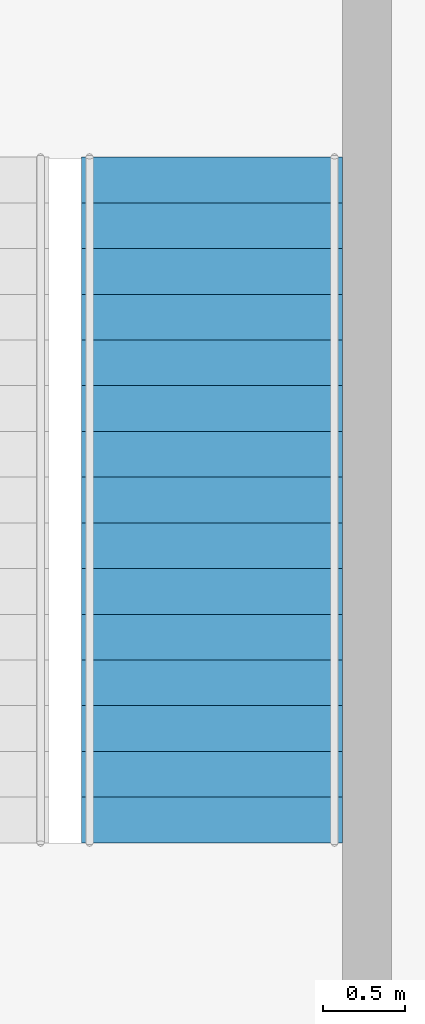
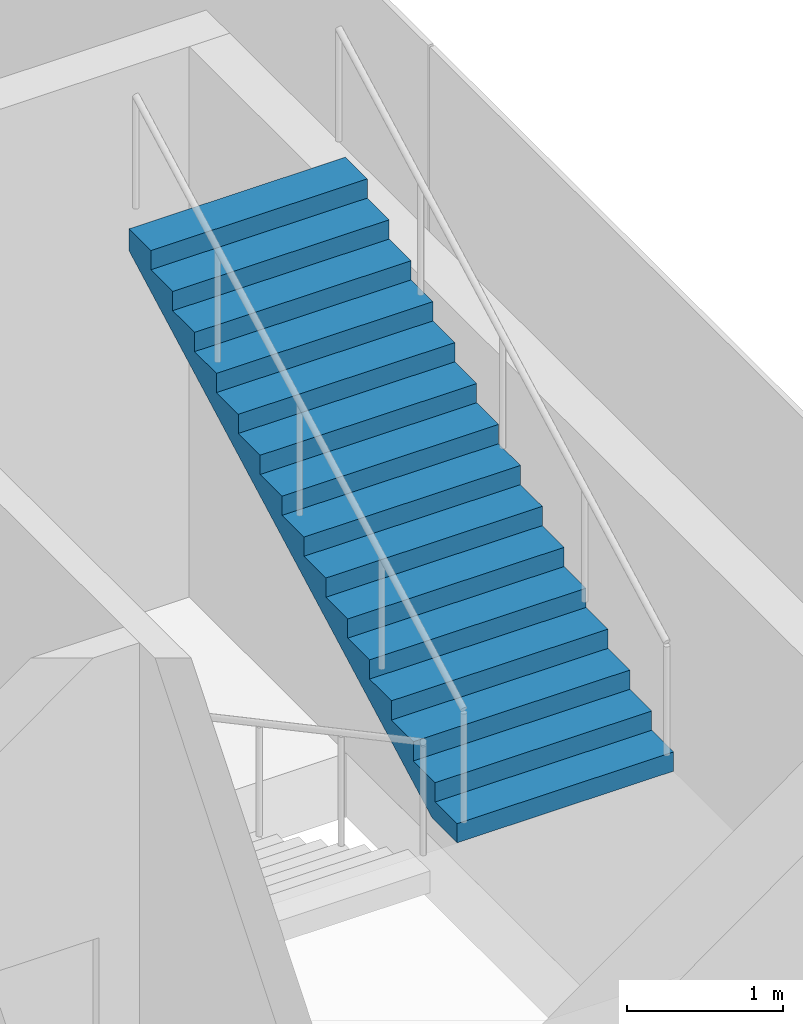
# One storey, part 48 of 53: 1 stair flight, 1 element without a shape of its own.
"""IFC4 building model written with IfcOpenShell, lengths in metres."""

import ifcopenshell
import ifcopenshell.guid

model = None  # the IFC model being written
_history = None  # IfcOwnerHistory: only IFC2X3 demands one
_inside = {}  # id of a spatial element -> (the spatial element, [elements in it])
_under = {}  # id of a project, library or spatial element -> (it, [spatial elements below it])
_declared = {}  # id of a project -> (the project, [libraries it declares])
_typed = {}  # id of a type object -> (the type object, [elements of that type])
_made_of = {}  # id of a material, layer set ... -> (it, [elements and type objects made of it])


def new_model(schema):
    """Start an empty IFC model of exactly this schema.

    Asked for "IFC4X3", IfcOpenShell would pick the latest addendum, in which some entities
    have other attributes; the version numbers below select the first issue.
    IFC2X3 requires an IfcOwnerHistory on every rooted entity: one is made here for all.
    """
    global model, _history
    if schema == "IFC4X3":
        model = ifcopenshell.file(schema_version=(4, 3, 0, 0))
    else:
        model = ifcopenshell.file(schema=schema)
    _inside.clear()
    _under.clear()
    _declared.clear()
    _typed.clear()
    _made_of.clear()
    _history = None
    if model.schema == "IFC2X3":
        org = make("IfcOrganization", Name="unknown")
        user = make(
            "IfcPersonAndOrganization",
            ThePerson=make("IfcPerson", FamilyName="unknown"),
            TheOrganization=org,
        )
        app = make(
            "IfcApplication",
            ApplicationDeveloper=org,
            Version="unknown",
            ApplicationFullName="unknown",
            ApplicationIdentifier="unknown",
        )
        _history = make(
            "IfcOwnerHistory",
            OwningUser=user,
            OwningApplication=app,
            ChangeAction="ADDED",
            CreationDate=0,
        )
    return model


def make(cls, **values):
    """One entity of the class cls with the attributes given. An attribute that is None is left unset."""
    return model.create_entity(
        cls, **{name: value for name, value in values.items() if value is not None}
    )


def rooted(cls, **values):
    """An entity with a GlobalId (a new one), such as an element, a storey or a relation."""
    return make(cls, GlobalId=ifcopenshell.guid.new(), OwnerHistory=_history, **values)


def si_unit(unit_type, name, prefix=None):
    """IfcSIUnit, for example si_unit("LENGTHUNIT", "METRE", prefix="MILLI")."""
    return make("IfcSIUnit", UnitType=unit_type, Prefix=prefix, Name=name)


def assignment(units):
    """IfcUnitAssignment: the units of a project."""
    return None if units is None else make("IfcUnitAssignment", Units=units)


def point(xyz):
    """IfcCartesianPoint."""
    return None if xyz is None else make("IfcCartesianPoint", Coordinates=xyz)


def direction(xyz):
    """IfcDirection."""
    return None if xyz is None else make("IfcDirection", DirectionRatios=xyz)


def frame(location, z_axis=None, x_axis=None):
    """IfcAxis2Placement3D, a coordinate frame: its origin and axes. An axis left out is left unset."""
    return make(
        "IfcAxis2Placement3D",
        Location=point(location),
        Axis=direction(z_axis),
        RefDirection=direction(x_axis),
    )


def origin():
    """The frame at (0, 0, 0) with its axes left unset."""
    return frame((0.0, 0.0, 0.0))


def place(relative_to, where):
    """IfcLocalPlacement: puts the frame where relative to a parent placement (None: the world)."""
    return make(
        "IfcLocalPlacement", PlacementRelTo=relative_to, RelativePlacement=where
    )


def context(
    kind, dimensions, precision=None, world=None, true_north=None, identifier=None
):
    """IfcGeometricRepresentationContext, for example the 3D "Model" context."""
    return make(
        "IfcGeometricRepresentationContext",
        ContextIdentifier=identifier,
        ContextType=kind,
        CoordinateSpaceDimension=dimensions,
        Precision=precision,
        WorldCoordinateSystem=world,
        TrueNorth=true_north,
    )


def subcontext(parent, identifier, kind, view, scale=None):
    """IfcGeometricRepresentationSubContext, for example "Body" below "Model"."""
    return make(
        "IfcGeometricRepresentationSubContext",
        ContextIdentifier=identifier,
        ContextType=kind,
        ParentContext=parent,
        TargetScale=scale,
        TargetView=view,
    )


def project(units=None, contexts=None):
    """IfcProject with its units and contexts."""
    return rooted(
        "IfcProject",
        Name="project",
        RepresentationContexts=contexts,
        UnitsInContext=assignment(units),
    )


def spatial(cls, under=None, at=None, **own):
    """A site, building, storey or space (cls), placed at a placement, below another one or the project."""
    s = rooted(cls, ObjectPlacement=at, **own)
    if under is not None:
        _under.setdefault(under.id(), (under, []))[1].append(s)
    return s


def point_list(points):
    """IfcCartesianPointList2D or 3D."""
    cls = (
        "IfcCartesianPointList2D" if len(points[0]) == 2 else "IfcCartesianPointList3D"
    )
    return make(cls, CoordList=points)


def triangles(points, corners, closed=None, point_numbers=None):
    """IfcTriangulatedFaceSet: each triangle names its three corners, points numbered from 1."""
    return make(
        "IfcTriangulatedFaceSet",
        Coordinates=point_list(points),
        Closed=closed,
        CoordIndex=corners,
        PnIndex=point_numbers,
    )


def shape(context_of_items, identifier, shape_type, items):
    """IfcShapeRepresentation: the items that make up one representation, for example the "Body"."""
    return make(
        "IfcShapeRepresentation",
        ContextOfItems=context_of_items,
        RepresentationIdentifier=identifier,
        RepresentationType=shape_type,
        Items=items,
    )


def material(Name=None, Category=None):
    """IfcMaterial."""
    return make("IfcMaterial", Name=Name, Category=Category)


def made_of(thing, what):
    """Note that an element or type object is made of a material, layer set ...; save() writes the relation."""
    if what is not None:
        _made_of.setdefault(what.id(), (what, []))[1].append(thing)
    return thing


def type_object(cls, material=None, **own):
    """A type object (cls), such as IfcWallType, which elements share."""
    return made_of(rooted(cls, **own), material)


def element(
    cls,
    number,
    at=None,
    inside=None,
    cuts=None,
    type_object=None,
    material=None,
    context=None,
    identifier="Body",
    shape_type=None,
    held_by="IfcProductDefinitionShape",
    body=None,
    shapes=None,
    **own,
):
    """One element of the class cls, such as IfcWall. Its Tag is "e" and its number.

    at: its placement. inside: the storey or other place that contains it. cuts: it is an
    opening in that element (IfcRelVoidsElement). A single representation is given by context,
    identifier, shape_type and body (its items); several are given by shapes. held_by: the class
    of the entity that holds the representations. save() writes the other relations.
    """
    e = rooted(cls, Tag="e%d" % number, ObjectPlacement=at, **own)
    if body is not None:
        shapes = [shape(context, identifier, shape_type, body)]
    if shapes is not None:
        e.Representation = make(held_by, Representations=shapes)
    if inside is not None:
        _inside.setdefault(inside.id(), (inside, []))[1].append(e)
    if cuts is not None:
        rooted(
            "IfcRelVoidsElement", RelatingBuildingElement=cuts, RelatedOpeningElement=e
        )
    if type_object is not None:
        _typed.setdefault(type_object.id(), (type_object, []))[1].append(e)
    return made_of(e, material)


def aggregate(whole, parts):
    """IfcRelAggregates: a whole, such as a stair, and the parts it consists of."""
    return rooted("IfcRelAggregates", RelatingObject=whole, RelatedObjects=parts)


def save(model, path):
    """Write the relations noted so far, then the file.

    IfcRelAggregates (storeys below a building ...), IfcRelContainedInSpatialStructure (elements
    in a storey), IfcRelDefinesByType, IfcRelAssociatesMaterial and IfcRelDeclares: one each for
    every whole, place, type object, material and project.
    """
    for whole, parts in _under.values():
        aggregate(whole, parts)
    for where, things in _inside.values():
        rooted(
            "IfcRelContainedInSpatialStructure",
            RelatedElements=things,
            RelatingStructure=where,
        )
    for kind, things in _typed.values():
        rooted("IfcRelDefinesByType", RelatedObjects=things, RelatingType=kind)
    for what, things in _made_of.values():
        rooted("IfcRelAssociatesMaterial", RelatedObjects=things, RelatingMaterial=what)
    for by, libraries in _declared.values():
        rooted("IfcRelDeclares", RelatingContext=by, RelatedDefinitions=libraries)
    model.write(path)


model = new_model("IFC4")

# Units and contexts
model_context = context("Model", 3, precision=1e-05, world=origin(), true_north=direction((0.0, 1.0)))
body_context = subcontext(model_context, "Body", "Model", "MODEL_VIEW")
ifc_project = project(units=[si_unit("LENGTHUNIT", "METRE"), si_unit("AREAUNIT", "SQUARE_METRE"), si_unit("VOLUMEUNIT", "CUBIC_METRE"), si_unit("PLANEANGLEUNIT", "RADIAN"), si_unit("MASSUNIT", "GRAM", prefix="KILO")], contexts=[model_context])

# Site, building, storey
site_placement = place(None, origin())
site = spatial("IfcSite", under=ifc_project, at=site_placement, CompositionType="ELEMENT")
building_placement = place(site_placement, origin())
building = spatial("IfcBuilding", under=site, at=building_placement, Name="Hakoniwa Tower and Hamabe Station Hall", CompositionType="ELEMENT")
storey_placement = place(building_placement, frame((0.0, 0.0, 15.0)))
storey = spatial("IfcBuildingStorey", under=building, at=storey_placement, Name="L03", CompositionType="ELEMENT", Elevation=15.0)

# Stair, stair flight
ifc_material_1 = material(Name="Concrete C40", Category="concrete")
stair_type = type_object("IfcStairType", Name="STAIR 1600 16X150", PredefinedType="HALF_TURN_STAIR", material=ifc_material_1)
stair_placement = place(storey_placement, origin())
stair = element("IfcStair", 1, at=stair_placement, inside=storey, type_object=stair_type, Name="Escape stair SS4 L03", PredefinedType="HALF_TURN_STAIR")
ifc_material_2 = material(Name="Concrete C40", Category="concrete")
stair_flight_type = type_object("IfcStairFlightType", Name="STAIR FLIGHT 1600", PredefinedType="STRAIGHT", material=ifc_material_2)
stair_flight_placement = place(storey_placement, frame((167.64990234375, -21.10009765625, 2.39990234375), z_axis=(0.0, 0.0, 1.0), x_axis=(0.0, 1.0, 0.0)))
stair_flight = element("IfcStairFlight", 2, at=stair_flight_placement, type_object=stair_flight_type, Name="SS4 flight 2", NumberOfRisers=16, NumberOfTreads=15, PredefinedType="STRAIGHT", RiserHeight=0.15, TreadLength=0.28, context=body_context, shape_type="Tessellation", body=[
    triangles([(0.0, 0.800048828125, 0.0), (0.280029296875, 0.800048828125, 0.0), (0.3173828125, 0.800048828125, 0.0), (0.56005859375, 0.800048828125, 0.1298828125), (0.840087890625, 0.800048828125, 0.280029296875), (1.1201171875, 0.800048828125, 0.429931640625), (1.39990234375, 0.800048828125, 0.579833984375), (1.679931640625, 0.800048828125, 0.72998046875), (1.9599609375, 0.800048828125, 0.8798828125), (2.239990234375, 0.800048828125, 1.030029296875), (2.52001953125, 0.800048828125, 1.179931640625), (2.800048828125, 0.800048828125, 1.329833984375), (3.080078125, 0.800048828125, 1.47998046875), (3.360107421875, 0.800048828125, 1.6298828125), (3.639892578125, 0.800048828125, 1.780029296875), (3.919921875, 0.800048828125, 1.929931640625), (4.199951171875, 0.800048828125, 2.079833984375), (4.199951171875, 0.800048828125, 2.25), (3.919921875, 0.800048828125, 2.25), (3.919921875, 0.800048828125, 2.10009765625), (3.639892578125, 0.800048828125, 2.10009765625), (3.639892578125, 0.800048828125, 1.949951171875), (3.360107421875, 0.800048828125, 1.949951171875), (3.360107421875, 0.800048828125, 1.800048828125), (3.080078125, 0.800048828125, 1.800048828125), (3.080078125, 0.800048828125, 1.64990234375), (2.800048828125, 0.800048828125, 1.64990234375), (2.800048828125, 0.800048828125, 1.5), (2.52001953125, 0.800048828125, 1.5), (2.52001953125, 0.800048828125, 1.35009765625), (2.239990234375, 0.800048828125, 1.35009765625), (2.239990234375, 0.800048828125, 1.199951171875), (1.9599609375, 0.800048828125, 1.199951171875), (1.9599609375, 0.800048828125, 1.050048828125), (1.679931640625, 0.800048828125, 1.050048828125), (1.679931640625, 0.800048828125, 0.89990234375), (1.39990234375, 0.800048828125, 0.89990234375), (1.39990234375, 0.800048828125, 0.75), (1.1201171875, 0.800048828125, 0.75), (1.1201171875, 0.800048828125, 0.60009765625), (0.840087890625, 0.800048828125, 0.60009765625), (0.840087890625, 0.800048828125, 0.449951171875), (0.56005859375, 0.800048828125, 0.449951171875), (0.56005859375, 0.800048828125, 0.300048828125), (0.3173828125, 0.800048828125, 0.300048828125), (0.280029296875, 0.800048828125, 0.300048828125), (0.280029296875, 0.800048828125, 0.14990234375), (0.0, 0.800048828125, 0.14990234375), (0.0, 0.06005859375, 0.0), (0.280029296875, 0.06005859375, 0.0), (0.3173828125, 0.06005859375, 0.0), (0.56005859375, 0.06005859375, 0.1298828125), (0.840087890625, 0.06005859375, 0.280029296875), (1.1201171875, 0.06005859375, 0.429931640625), (1.39990234375, 0.06005859375, 0.579833984375), (1.679931640625, 0.06005859375, 0.72998046875), (1.9599609375, 0.06005859375, 0.8798828125), (2.239990234375, 0.06005859375, 1.030029296875), (2.52001953125, 0.06005859375, 1.179931640625), (2.800048828125, 0.06005859375, 1.329833984375), (3.080078125, 0.06005859375, 1.47998046875), (3.360107421875, 0.06005859375, 1.6298828125), (3.639892578125, 0.06005859375, 1.780029296875), (3.919921875, 0.06005859375, 1.929931640625), (4.199951171875, 0.06005859375, 2.079833984375), (4.199951171875, 0.06005859375, 2.25), (3.919921875, 0.06005859375, 2.25), (3.919921875, 0.06005859375, 2.10009765625), (3.639892578125, 0.06005859375, 2.10009765625), (3.639892578125, 0.06005859375, 1.949951171875), (3.360107421875, 0.06005859375, 1.949951171875), (3.360107421875, 0.06005859375, 1.800048828125), (3.080078125, 0.06005859375, 1.800048828125), (3.080078125, 0.06005859375, 1.64990234375), (2.800048828125, 0.06005859375, 1.64990234375), (2.800048828125, 0.06005859375, 1.5), (2.52001953125, 0.06005859375, 1.5), (2.52001953125, 0.06005859375, 1.35009765625), (2.239990234375, 0.06005859375, 1.35009765625), (2.239990234375, 0.06005859375, 1.199951171875), (1.9599609375, 0.06005859375, 1.199951171875), (1.9599609375, 0.06005859375, 1.050048828125), (1.679931640625, 0.06005859375, 1.050048828125), (1.679931640625, 0.06005859375, 0.89990234375), (1.39990234375, 0.06005859375, 0.89990234375), (1.39990234375, 0.06005859375, 0.75), (1.1201171875, 0.06005859375, 0.75), (1.1201171875, 0.06005859375, 0.60009765625), (0.840087890625, 0.06005859375, 0.60009765625), (0.840087890625, 0.06005859375, 0.449951171875), (0.56005859375, 0.06005859375, 0.449951171875), (0.56005859375, 0.06005859375, 0.300048828125), (0.3173828125, 0.06005859375, 0.300048828125), (0.280029296875, 0.06005859375, 0.300048828125), (0.280029296875, 0.06005859375, 0.14990234375), (0.0, 0.06005859375, 0.14990234375), (0.0, 0.02001953125, 0.0), (0.280029296875, 0.02001953125, 0.0), (0.3173828125, 0.02001953125, 0.0), (0.56005859375, 0.02001953125, 0.1298828125), (0.840087890625, 0.02001953125, 0.280029296875), (1.1201171875, 0.02001953125, 0.429931640625), (1.39990234375, 0.02001953125, 0.579833984375), (1.679931640625, 0.02001953125, 0.72998046875), (1.9599609375, 0.02001953125, 0.8798828125), (2.239990234375, 0.02001953125, 1.030029296875), (2.52001953125, 0.02001953125, 1.179931640625), (2.800048828125, 0.02001953125, 1.329833984375), (3.080078125, 0.02001953125, 1.47998046875), (3.360107421875, 0.02001953125, 1.6298828125), (3.639892578125, 0.02001953125, 1.780029296875), (3.919921875, 0.02001953125, 1.929931640625), (4.199951171875, 0.02001953125, 2.079833984375), (4.199951171875, 0.02001953125, 2.25), (3.919921875, 0.02001953125, 2.25), (3.919921875, 0.02001953125, 2.10009765625), (3.639892578125, 0.02001953125, 2.10009765625), (3.639892578125, 0.02001953125, 1.949951171875), (3.360107421875, 0.02001953125, 1.949951171875), (3.360107421875, 0.02001953125, 1.800048828125), (3.080078125, 0.02001953125, 1.800048828125), (3.080078125, 0.02001953125, 1.64990234375), (2.800048828125, 0.02001953125, 1.64990234375), (2.800048828125, 0.02001953125, 1.5), (2.52001953125, 0.02001953125, 1.5), (2.52001953125, 0.02001953125, 1.35009765625), (2.239990234375, 0.02001953125, 1.35009765625), (2.239990234375, 0.02001953125, 1.199951171875), (1.9599609375, 0.02001953125, 1.199951171875), (1.9599609375, 0.02001953125, 1.050048828125), (1.679931640625, 0.02001953125, 1.050048828125), (1.679931640625, 0.02001953125, 0.89990234375), (1.39990234375, 0.02001953125, 0.89990234375), (1.39990234375, 0.02001953125, 0.75), (1.1201171875, 0.02001953125, 0.75), (1.1201171875, 0.02001953125, 0.60009765625), (0.840087890625, 0.02001953125, 0.60009765625), (0.840087890625, 0.02001953125, 0.449951171875), (0.56005859375, 0.02001953125, 0.449951171875), (0.56005859375, 0.02001953125, 0.300048828125), (0.3173828125, 0.02001953125, 0.300048828125), (0.280029296875, 0.02001953125, 0.300048828125), (0.280029296875, 0.02001953125, 0.14990234375), (0.0, 0.02001953125, 0.14990234375), (0.0, -0.02001953125, 0.0), (0.280029296875, -0.02001953125, 0.0), (0.3173828125, -0.02001953125, 0.0), (0.56005859375, -0.02001953125, 0.1298828125), (0.840087890625, -0.02001953125, 0.280029296875), (1.1201171875, -0.02001953125, 0.429931640625), (1.39990234375, -0.02001953125, 0.579833984375), (1.679931640625, -0.02001953125, 0.72998046875), (1.9599609375, -0.02001953125, 0.8798828125), (2.239990234375, -0.02001953125, 1.030029296875), (2.52001953125, -0.02001953125, 1.179931640625), (2.800048828125, -0.02001953125, 1.329833984375), (3.080078125, -0.02001953125, 1.47998046875), (3.360107421875, -0.02001953125, 1.6298828125), (3.639892578125, -0.02001953125, 1.780029296875), (3.919921875, -0.02001953125, 1.929931640625), (4.199951171875, -0.02001953125, 2.079833984375), (4.199951171875, -0.02001953125, 2.25), (3.919921875, -0.02001953125, 2.25), (3.919921875, -0.02001953125, 2.10009765625), (3.639892578125, -0.02001953125, 2.10009765625), (3.639892578125, -0.02001953125, 1.949951171875), (3.360107421875, -0.02001953125, 1.949951171875), (3.360107421875, -0.02001953125, 1.800048828125), (3.080078125, -0.02001953125, 1.800048828125), (3.080078125, -0.02001953125, 1.64990234375), (2.800048828125, -0.02001953125, 1.64990234375), (2.800048828125, -0.02001953125, 1.5), (2.52001953125, -0.02001953125, 1.5), (2.52001953125, -0.02001953125, 1.35009765625), (2.239990234375, -0.02001953125, 1.35009765625), (2.239990234375, -0.02001953125, 1.199951171875), (1.9599609375, -0.02001953125, 1.199951171875), (1.9599609375, -0.02001953125, 1.050048828125), (1.679931640625, -0.02001953125, 1.050048828125), (1.679931640625, -0.02001953125, 0.89990234375), (1.39990234375, -0.02001953125, 0.89990234375), (1.39990234375, -0.02001953125, 0.75), (1.1201171875, -0.02001953125, 0.75), (1.1201171875, -0.02001953125, 0.60009765625), (0.840087890625, -0.02001953125, 0.60009765625), (0.840087890625, -0.02001953125, 0.449951171875), (0.56005859375, -0.02001953125, 0.449951171875), (0.56005859375, -0.02001953125, 0.300048828125), (0.3173828125, -0.02001953125, 0.300048828125), (0.280029296875, -0.02001953125, 0.300048828125), (0.280029296875, -0.02001953125, 0.14990234375), (0.0, -0.02001953125, 0.14990234375), (0.0, -0.06005859375, 0.0), (0.280029296875, -0.06005859375, 0.0), (0.3173828125, -0.06005859375, 0.0), (0.56005859375, -0.06005859375, 0.1298828125), (0.840087890625, -0.06005859375, 0.280029296875), (1.1201171875, -0.06005859375, 0.429931640625), (1.39990234375, -0.06005859375, 0.579833984375), (1.679931640625, -0.06005859375, 0.72998046875), (1.9599609375, -0.06005859375, 0.8798828125), (2.239990234375, -0.06005859375, 1.030029296875), (2.52001953125, -0.06005859375, 1.179931640625), (2.800048828125, -0.06005859375, 1.329833984375), (3.080078125, -0.06005859375, 1.47998046875), (3.360107421875, -0.06005859375, 1.6298828125), (3.639892578125, -0.06005859375, 1.780029296875), (3.919921875, -0.06005859375, 1.929931640625), (4.199951171875, -0.06005859375, 2.079833984375), (4.199951171875, -0.06005859375, 2.25), (3.919921875, -0.06005859375, 2.25), (3.919921875, -0.06005859375, 2.10009765625), (3.639892578125, -0.06005859375, 2.10009765625), (3.639892578125, -0.06005859375, 1.949951171875), (3.360107421875, -0.06005859375, 1.949951171875), (3.360107421875, -0.06005859375, 1.800048828125), (3.080078125, -0.06005859375, 1.800048828125), (3.080078125, -0.06005859375, 1.64990234375), (2.800048828125, -0.06005859375, 1.64990234375), (2.800048828125, -0.06005859375, 1.5), (2.52001953125, -0.06005859375, 1.5), (2.52001953125, -0.06005859375, 1.35009765625), (2.239990234375, -0.06005859375, 1.35009765625), (2.239990234375, -0.06005859375, 1.199951171875), (1.9599609375, -0.06005859375, 1.199951171875), (1.9599609375, -0.06005859375, 1.050048828125), (1.679931640625, -0.06005859375, 1.050048828125), (1.679931640625, -0.06005859375, 0.89990234375), (1.39990234375, -0.06005859375, 0.89990234375), (1.39990234375, -0.06005859375, 0.75), (1.1201171875, -0.06005859375, 0.75), (1.1201171875, -0.06005859375, 0.60009765625), (0.840087890625, -0.06005859375, 0.60009765625), (0.840087890625, -0.06005859375, 0.449951171875), (0.56005859375, -0.06005859375, 0.449951171875), (0.56005859375, -0.06005859375, 0.300048828125), (0.3173828125, -0.06005859375, 0.300048828125), (0.280029296875, -0.06005859375, 0.300048828125), (0.280029296875, -0.06005859375, 0.14990234375), (0.0, -0.06005859375, 0.14990234375), (0.0, -0.800048828125, 0.0), (0.280029296875, -0.800048828125, 0.0), (0.3173828125, -0.800048828125, 0.0), (0.56005859375, -0.800048828125, 0.1298828125), (0.840087890625, -0.800048828125, 0.280029296875), (1.1201171875, -0.800048828125, 0.429931640625), (1.39990234375, -0.800048828125, 0.579833984375), (1.679931640625, -0.800048828125, 0.72998046875), (1.9599609375, -0.800048828125, 0.8798828125), (2.239990234375, -0.800048828125, 1.030029296875), (2.52001953125, -0.800048828125, 1.179931640625), (2.800048828125, -0.800048828125, 1.329833984375), (3.080078125, -0.800048828125, 1.47998046875), (3.360107421875, -0.800048828125, 1.6298828125), (3.639892578125, -0.800048828125, 1.780029296875), (3.919921875, -0.800048828125, 1.929931640625), (4.199951171875, -0.800048828125, 2.079833984375), (4.199951171875, -0.800048828125, 2.25), (3.919921875, -0.800048828125, 2.25), (3.919921875, -0.800048828125, 2.10009765625), (3.639892578125, -0.800048828125, 2.10009765625), (3.639892578125, -0.800048828125, 1.949951171875), (3.360107421875, -0.800048828125, 1.949951171875), (3.360107421875, -0.800048828125, 1.800048828125), (3.080078125, -0.800048828125, 1.800048828125), (3.080078125, -0.800048828125, 1.64990234375), (2.800048828125, -0.800048828125, 1.64990234375), (2.800048828125, -0.800048828125, 1.5), (2.52001953125, -0.800048828125, 1.5), (2.52001953125, -0.800048828125, 1.35009765625), (2.239990234375, -0.800048828125, 1.35009765625), (2.239990234375, -0.800048828125, 1.199951171875), (1.9599609375, -0.800048828125, 1.199951171875), (1.9599609375, -0.800048828125, 1.050048828125), (1.679931640625, -0.800048828125, 1.050048828125), (1.679931640625, -0.800048828125, 0.89990234375), (1.39990234375, -0.800048828125, 0.89990234375), (1.39990234375, -0.800048828125, 0.75), (1.1201171875, -0.800048828125, 0.75), (1.1201171875, -0.800048828125, 0.60009765625), (0.840087890625, -0.800048828125, 0.60009765625), (0.840087890625, -0.800048828125, 0.449951171875), (0.56005859375, -0.800048828125, 0.449951171875), (0.56005859375, -0.800048828125, 0.300048828125), (0.3173828125, -0.800048828125, 0.300048828125), (0.280029296875, -0.800048828125, 0.300048828125), (0.280029296875, -0.800048828125, 0.14990234375), (0.0, -0.800048828125, 0.14990234375)], [[2, 48, 47], [242, 287, 288], [2, 1, 48], [242, 288, 241], [3, 46, 45], [243, 285, 286], [3, 47, 46], [243, 286, 287], [3, 2, 47], [243, 287, 242], [4, 45, 44], [244, 284, 285], [4, 3, 45], [244, 285, 243], [5, 43, 42], [245, 282, 283], [5, 44, 43], [245, 283, 284], [5, 4, 44], [245, 284, 244], [6, 41, 40], [246, 280, 281], [6, 42, 41], [246, 281, 282], [6, 5, 42], [246, 282, 245], [7, 39, 38], [247, 278, 279], [7, 40, 39], [247, 279, 280], [7, 6, 40], [247, 280, 246], [8, 37, 36], [248, 276, 277], [8, 38, 37], [248, 277, 278], [8, 7, 38], [248, 278, 247], [9, 35, 34], [249, 274, 275], [9, 36, 35], [249, 275, 276], [9, 8, 36], [249, 276, 248], [10, 33, 32], [250, 272, 273], [10, 34, 33], [250, 273, 274], [10, 9, 34], [250, 274, 249], [11, 31, 30], [251, 270, 271], [11, 32, 31], [251, 271, 272], [11, 10, 32], [251, 272, 250], [12, 29, 28], [252, 268, 269], [12, 30, 29], [252, 269, 270], [12, 11, 30], [252, 270, 251], [13, 27, 26], [253, 266, 267], [13, 28, 27], [253, 267, 268], [13, 12, 28], [253, 268, 252], [14, 25, 24], [254, 264, 265], [14, 26, 25], [254, 265, 266], [14, 13, 26], [254, 266, 253], [15, 23, 22], [255, 262, 263], [15, 24, 23], [255, 263, 264], [15, 14, 24], [255, 264, 254], [16, 21, 20], [256, 260, 261], [16, 22, 21], [256, 261, 262], [16, 15, 22], [256, 262, 255], [17, 19, 18], [257, 258, 259], [17, 20, 19], [257, 259, 260], [17, 16, 20], [257, 260, 256], [1, 2, 50], [1, 50, 49], [49, 50, 98], [49, 98, 97], [97, 98, 146], [97, 146, 145], [145, 146, 194], [145, 194, 193], [193, 194, 242], [193, 242, 241], [2, 3, 51], [2, 51, 50], [50, 51, 99], [50, 99, 98], [98, 99, 147], [98, 147, 146], [146, 147, 195], [146, 195, 194], [194, 195, 243], [194, 243, 242], [3, 4, 52], [3, 52, 51], [51, 52, 100], [51, 100, 99], [99, 100, 148], [99, 148, 147], [147, 148, 196], [147, 196, 195], [195, 196, 244], [195, 244, 243], [4, 5, 53], [4, 53, 52], [52, 53, 101], [52, 101, 100], [100, 101, 149], [100, 149, 148], [148, 149, 197], [148, 197, 196], [196, 197, 245], [196, 245, 244], [5, 6, 54], [5, 54, 53], [53, 54, 102], [53, 102, 101], [101, 102, 150], [101, 150, 149], [149, 150, 198], [149, 198, 197], [197, 198, 246], [197, 246, 245], [6, 7, 55], [6, 55, 54], [54, 55, 103], [54, 103, 102], [102, 103, 151], [102, 151, 150], [150, 151, 199], [150, 199, 198], [198, 199, 247], [198, 247, 246], [7, 8, 56], [7, 56, 55], [55, 56, 104], [55, 104, 103], [103, 104, 152], [103, 152, 151], [151, 152, 200], [151, 200, 199], [199, 200, 248], [199, 248, 247], [8, 9, 57], [8, 57, 56], [56, 57, 105], [56, 105, 104], [104, 105, 153], [104, 153, 152], [152, 153, 201], [152, 201, 200], [200, 201, 249], [200, 249, 248], [9, 10, 58], [9, 58, 57], [57, 58, 106], [57, 106, 105], [105, 106, 154], [105, 154, 153], [153, 154, 202], [153, 202, 201], [201, 202, 250], [201, 250, 249], [10, 11, 59], [10, 59, 58], [58, 59, 107], [58, 107, 106], [106, 107, 155], [106, 155, 154], [154, 155, 203], [154, 203, 202], [202, 203, 251], [202, 251, 250], [11, 12, 60], [11, 60, 59], [59, 60, 108], [59, 108, 107], [107, 108, 156], [107, 156, 155], [155, 156, 204], [155, 204, 203], [203, 204, 252], [203, 252, 251], [12, 13, 61], [12, 61, 60], [60, 61, 109], [60, 109, 108], [108, 109, 157], [108, 157, 156], [156, 157, 205], [156, 205, 204], [204, 205, 253], [204, 253, 252], [13, 14, 62], [13, 62, 61], [61, 62, 110], [61, 110, 109], [109, 110, 158], [109, 158, 157], [157, 158, 206], [157, 206, 205], [205, 206, 254], [205, 254, 253], [14, 15, 63], [14, 63, 62], [62, 63, 111], [62, 111, 110], [110, 111, 159], [110, 159, 158], [158, 159, 207], [158, 207, 206], [206, 207, 255], [206, 255, 254], [15, 16, 64], [15, 64, 63], [63, 64, 112], [63, 112, 111], [111, 112, 160], [111, 160, 159], [159, 160, 208], [159, 208, 207], [207, 208, 256], [207, 256, 255], [16, 17, 65], [16, 65, 64], [64, 65, 113], [64, 113, 112], [112, 113, 161], [112, 161, 160], [160, 161, 209], [160, 209, 208], [208, 209, 257], [208, 257, 256], [17, 18, 66], [17, 66, 65], [65, 66, 114], [65, 114, 113], [113, 114, 162], [113, 162, 161], [161, 162, 210], [161, 210, 209], [209, 210, 258], [209, 258, 257], [18, 19, 67], [18, 67, 66], [66, 67, 115], [66, 115, 114], [114, 115, 163], [114, 163, 162], [162, 163, 211], [162, 211, 210], [210, 211, 259], [210, 259, 258], [19, 20, 68], [19, 68, 67], [67, 68, 116], [67, 116, 115], [115, 116, 164], [115, 164, 163], [163, 164, 212], [163, 212, 211], [211, 212, 260], [211, 260, 259], [20, 21, 69], [20, 69, 68], [68, 69, 117], [68, 117, 116], [116, 117, 165], [116, 165, 164], [164, 165, 213], [164, 213, 212], [212, 213, 261], [212, 261, 260], [21, 22, 70], [21, 70, 69], [69, 70, 118], [69, 118, 117], [117, 118, 166], [117, 166, 165], [165, 166, 214], [165, 214, 213], [213, 214, 262], [213, 262, 261], [22, 23, 71], [22, 71, 70], [70, 71, 119], [70, 119, 118], [118, 119, 167], [118, 167, 166], [166, 167, 215], [166, 215, 214], [214, 215, 263], [214, 263, 262], [23, 24, 72], [23, 72, 71], [71, 72, 120], [71, 120, 119], [119, 120, 168], [119, 168, 167], [167, 168, 216], [167, 216, 215], [215, 216, 264], [215, 264, 263], [24, 25, 73], [24, 73, 72], [72, 73, 121], [72, 121, 120], [120, 121, 169], [120, 169, 168], [168, 169, 217], [168, 217, 216], [216, 217, 265], [216, 265, 264], [25, 26, 74], [25, 74, 73], [73, 74, 122], [73, 122, 121], [121, 122, 170], [121, 170, 169], [169, 170, 218], [169, 218, 217], [217, 218, 266], [217, 266, 265], [26, 27, 75], [26, 75, 74], [74, 75, 123], [74, 123, 122], [122, 123, 171], [122, 171, 170], [170, 171, 219], [170, 219, 218], [218, 219, 267], [218, 267, 266], [27, 28, 76], [27, 76, 75], [75, 76, 124], [75, 124, 123], [123, 124, 172], [123, 172, 171], [171, 172, 220], [171, 220, 219], [219, 220, 268], [219, 268, 267], [28, 29, 77], [28, 77, 76], [76, 77, 125], [76, 125, 124], [124, 125, 173], [124, 173, 172], [172, 173, 221], [172, 221, 220], [220, 221, 269], [220, 269, 268], [29, 30, 78], [29, 78, 77], [77, 78, 126], [77, 126, 125], [125, 126, 174], [125, 174, 173], [173, 174, 222], [173, 222, 221], [221, 222, 270], [221, 270, 269], [30, 31, 79], [30, 79, 78], [78, 79, 127], [78, 127, 126], [126, 127, 175], [126, 175, 174], [174, 175, 223], [174, 223, 222], [222, 223, 271], [222, 271, 270], [31, 32, 80], [31, 80, 79], [79, 80, 128], [79, 128, 127], [127, 128, 176], [127, 176, 175], [175, 176, 224], [175, 224, 223], [223, 224, 272], [223, 272, 271], [32, 33, 81], [32, 81, 80], [80, 81, 129], [80, 129, 128], [128, 129, 177], [128, 177, 176], [176, 177, 225], [176, 225, 224], [224, 225, 273], [224, 273, 272], [33, 34, 82], [33, 82, 81], [81, 82, 130], [81, 130, 129], [129, 130, 178], [129, 178, 177], [177, 178, 226], [177, 226, 225], [225, 226, 274], [225, 274, 273], [34, 35, 83], [34, 83, 82], [82, 83, 131], [82, 131, 130], [130, 131, 179], [130, 179, 178], [178, 179, 227], [178, 227, 226], [226, 227, 275], [226, 275, 274], [35, 36, 84], [35, 84, 83], [83, 84, 132], [83, 132, 131], [131, 132, 180], [131, 180, 179], [179, 180, 228], [179, 228, 227], [227, 228, 276], [227, 276, 275], [36, 37, 85], [36, 85, 84], [84, 85, 133], [84, 133, 132], [132, 133, 181], [132, 181, 180], [180, 181, 229], [180, 229, 228], [228, 229, 277], [228, 277, 276], [37, 38, 86], [37, 86, 85], [85, 86, 134], [85, 134, 133], [133, 134, 182], [133, 182, 181], [181, 182, 230], [181, 230, 229], [229, 230, 278], [229, 278, 277], [38, 39, 87], [38, 87, 86], [86, 87, 135], [86, 135, 134], [134, 135, 183], [134, 183, 182], [182, 183, 231], [182, 231, 230], [230, 231, 279], [230, 279, 278], [39, 40, 88], [39, 88, 87], [87, 88, 136], [87, 136, 135], [135, 136, 184], [135, 184, 183], [183, 184, 232], [183, 232, 231], [231, 232, 280], [231, 280, 279], [40, 41, 89], [40, 89, 88], [88, 89, 137], [88, 137, 136], [136, 137, 185], [136, 185, 184], [184, 185, 233], [184, 233, 232], [232, 233, 281], [232, 281, 280], [41, 42, 90], [41, 90, 89], [89, 90, 138], [89, 138, 137], [137, 138, 186], [137, 186, 185], [185, 186, 234], [185, 234, 233], [233, 234, 282], [233, 282, 281], [42, 43, 91], [42, 91, 90], [90, 91, 139], [90, 139, 138], [138, 139, 187], [138, 187, 186], [186, 187, 235], [186, 235, 234], [234, 235, 283], [234, 283, 282], [43, 44, 92], [43, 92, 91], [91, 92, 140], [91, 140, 139], [139, 140, 188], [139, 188, 187], [187, 188, 236], [187, 236, 235], [235, 236, 284], [235, 284, 283], [44, 45, 93], [44, 93, 92], [92, 93, 141], [92, 141, 140], [140, 141, 189], [140, 189, 188], [188, 189, 237], [188, 237, 236], [236, 237, 285], [236, 285, 284], [45, 46, 94], [45, 94, 93], [93, 94, 142], [93, 142, 141], [141, 142, 190], [141, 190, 189], [189, 190, 238], [189, 238, 237], [237, 238, 286], [237, 286, 285], [46, 47, 95], [46, 95, 94], [94, 95, 143], [94, 143, 142], [142, 143, 191], [142, 191, 190], [190, 191, 239], [190, 239, 238], [238, 239, 287], [238, 287, 286], [47, 48, 96], [47, 96, 95], [95, 96, 144], [95, 144, 143], [143, 144, 192], [143, 192, 191], [191, 192, 240], [191, 240, 239], [239, 240, 288], [239, 288, 287], [48, 1, 49], [48, 49, 96], [96, 49, 97], [96, 97, 144], [144, 97, 145], [144, 145, 192], [192, 145, 193], [192, 193, 240], [240, 193, 241], [240, 241, 288]], closed=True),
])
aggregate(stair, [stair_flight])

save(model, "model.ifc")
